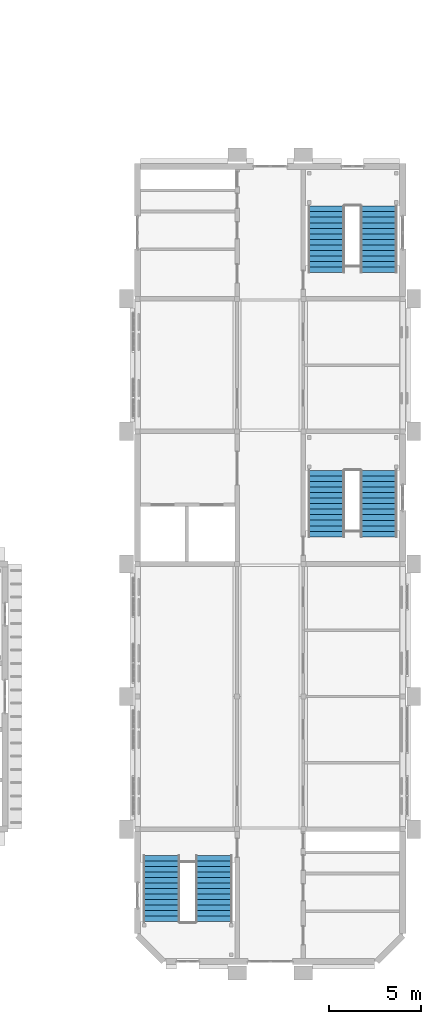
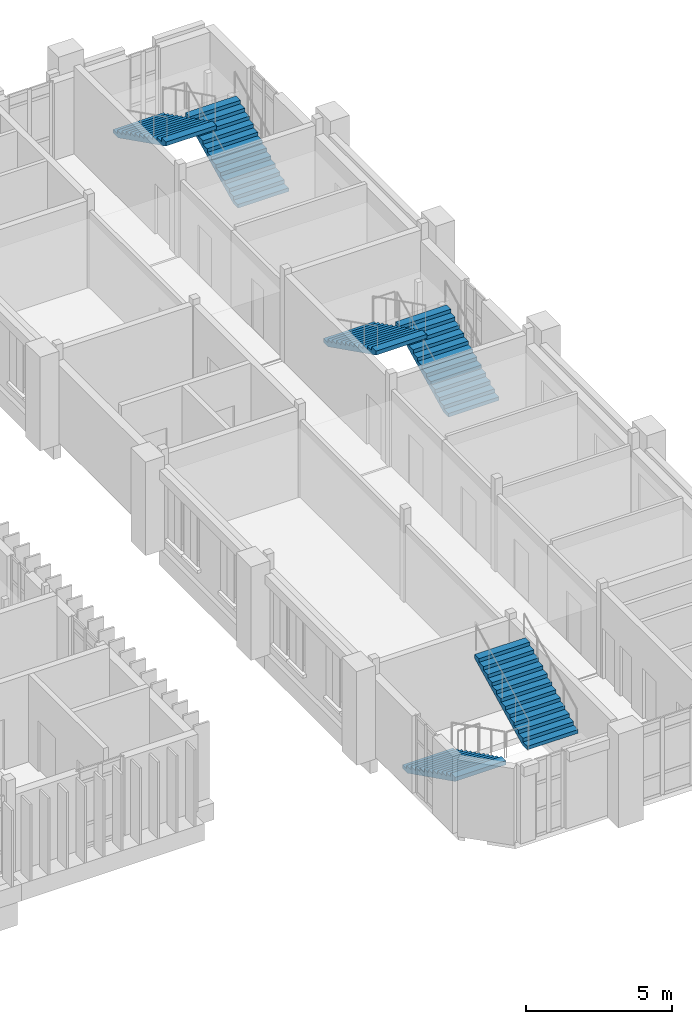
# One storey, part 57 of 69: 6 stair flights, 3 elements without a shape of their own.
"""IFC4 building model written with IfcOpenShell, lengths in metres."""

from ifc_helpers import new_model, si_unit, direction, frame, origin, place, context, subcontext, project, spatial, faceted_brep, material, type_object, element, aggregate, save


model = new_model("IFC4")

# Units and contexts
model_context = context("Model", 3, precision=1e-05, world=origin(), true_north=direction((0.0, 1.0)))
body_context = subcontext(model_context, "Body", "Model", "MODEL_VIEW")
ifc_project = project(units=[si_unit("LENGTHUNIT", "METRE"), si_unit("AREAUNIT", "SQUARE_METRE"), si_unit("VOLUMEUNIT", "CUBIC_METRE"), si_unit("PLANEANGLEUNIT", "RADIAN"), si_unit("MASSUNIT", "GRAM", prefix="KILO")], contexts=[model_context])

# Site, building, storey
site_placement = place(None, origin())
site = spatial("IfcSite", under=ifc_project, at=site_placement, CompositionType="ELEMENT")
building_placement = place(site_placement, origin())
building = spatial("IfcBuilding", under=site, at=building_placement, Name="Mazhai Court Health Centre", CompositionType="ELEMENT")
storey_placement = place(building_placement, frame((0.0, 0.0, 6.300048828125)))
storey = spatial("IfcBuildingStorey", under=building, at=storey_placement, Name="L01", CompositionType="ELEMENT", Elevation=6.300048828125)

# Stair, stair flights
ifc_material_1 = material(Name="Concrete M40", Category="concrete")
stair_type = type_object("IfcStairType", Name="RC STAIR 2000 26R", PredefinedType="DOUBLE_RETURN_STAIR", material=ifc_material_1)
stair_1_placement = place(storey_placement, origin())
stair_1 = element("IfcStair", 1, at=stair_1_placement, inside=storey, type_object=stair_type, Name="L01 Stair 8", PredefinedType="HALF_TURN_STAIR")
ifc_material_2 = material(Name="Concrete M40", Category="concrete")
stair_flight_type = type_object("IfcStairFlightType", Name="RC STAIR FLIGHT 13R 2000", PredefinedType="STRAIGHT", material=ifc_material_2)
stair_flight_1_placement = place(storey_placement, frame((137.094970703125, 11.965087890625, 0.0), z_axis=(0.0, 0.0, 1.0), x_axis=(0.0, -1.0, 0.0)))
stair_flight_1 = element("IfcStairFlight", 2, at=stair_flight_1_placement, type_object=stair_flight_type, Name="ST8 flight 1", NumberOfRisers=13, NumberOfTreads=12, PredefinedType="STRAIGHT", RiserHeight=0.15, TreadLength=0.3, context=body_context, shape_type="Brep", body=[
    faceted_brep([(0.0, 1.0, 0.0), (0.0, 1.0, 0.14990234375), (0.300048828125, 1.0, 0.14990234375), (0.300048828125, 1.0, 0.300048828125), (0.60009765625, 1.0, 0.300048828125), (0.60009765625, 1.0, 0.449951171875), (0.89990234375, 1.0, 0.449951171875), (0.89990234375, 1.0, 0.60009765625), (1.199951171875, 1.0, 0.60009765625), (1.199951171875, 1.0, 0.75), (1.5, 1.0, 0.75), (1.5, 1.0, 0.89990234375), (1.800048828125, 1.0, 0.89990234375), (1.800048828125, 1.0, 1.050048828125), (2.10009765625, 1.0, 1.050048828125), (2.10009765625, 1.0, 1.199951171875), (2.39990234375, 1.0, 1.199951171875), (2.39990234375, 1.0, 1.35009765625), (2.699951171875, 1.0, 1.35009765625), (2.699951171875, 1.0, 1.5), (3.0, 1.0, 1.5), (3.0, 1.0, 1.64990234375), (3.300048828125, 1.0, 1.64990234375), (3.300048828125, 1.0, 1.800048828125), (3.60009765625, 1.0, 1.800048828125), (3.60009765625, 1.0, 1.63232421875), (0.335205078125, 1.0, 0.0), (0.335205078125, -1.0, 0.0), (3.60009765625, -1.0, 1.63232421875), (3.60009765625, -1.0, 1.800048828125), (3.300048828125, -1.0, 1.800048828125), (3.300048828125, -1.0, 1.64990234375), (3.0, -1.0, 1.64990234375), (3.0, -1.0, 1.5), (2.699951171875, -1.0, 1.5), (2.699951171875, -1.0, 1.35009765625), (2.39990234375, -1.0, 1.35009765625), (2.39990234375, -1.0, 1.199951171875), (2.10009765625, -1.0, 1.199951171875), (2.10009765625, -1.0, 1.050048828125), (1.800048828125, -1.0, 1.050048828125), (1.800048828125, -1.0, 0.89990234375), (1.5, -1.0, 0.89990234375), (1.5, -1.0, 0.75), (1.199951171875, -1.0, 0.75), (1.199951171875, -1.0, 0.60009765625), (0.89990234375, -1.0, 0.60009765625), (0.89990234375, -1.0, 0.449951171875), (0.60009765625, -1.0, 0.449951171875), (0.60009765625, -1.0, 0.300048828125), (0.300048828125, -1.0, 0.300048828125), (0.300048828125, -1.0, 0.14990234375), (0.0, -1.0, 0.14990234375), (0.0, -1.0, 0.0), (0.0, 0.0, 0.0), (0.0, 0.0, 0.14990234375), (0.300048828125, 0.0, 0.14990234375), (0.300048828125, 0.0, 0.300048828125), (0.60009765625, 0.0, 0.300048828125), (0.60009765625, 0.0, 0.449951171875), (0.89990234375, 0.0, 0.449951171875), (0.89990234375, 0.0, 0.60009765625), (1.199951171875, 0.0, 0.60009765625), (1.199951171875, 0.0, 0.75), (1.5, 0.0, 0.75), (1.5, 0.0, 0.89990234375), (1.800048828125, 0.0, 0.89990234375), (1.800048828125, 0.0, 1.050048828125), (2.10009765625, 0.0, 1.050048828125), (2.10009765625, 0.0, 1.199951171875), (2.39990234375, 0.0, 1.199951171875), (2.39990234375, 0.0, 1.35009765625), (2.699951171875, 0.0, 1.35009765625), (2.699951171875, 0.0, 1.5), (3.0, 0.0, 1.5), (3.0, 0.0, 1.64990234375), (3.300048828125, 0.0, 1.64990234375), (3.300048828125, 0.0, 1.800048828125), (3.60009765625, 0.0, 1.800048828125), (3.60009765625, 0.0, 1.63232421875), (0.335205078125, 0.0, 0.0)], [[[0, 1, 2, 3, 4, 5, 6, 7, 8, 9, 10, 11, 12, 13, 14, 15, 16, 17, 18, 19, 20, 21, 22, 23, 24, 25, 26]], [[27, 28, 29, 30, 31, 32, 33, 34, 35, 36, 37, 38, 39, 40, 41, 42, 43, 44, 45, 46, 47, 48, 49, 50, 51, 52, 53]], [[54, 55, 1, 0]], [[53, 52, 55, 54]], [[55, 56, 2, 1]], [[52, 51, 56, 55]], [[56, 57, 3, 2]], [[51, 50, 57, 56]], [[57, 58, 4, 3]], [[50, 49, 58, 57]], [[58, 59, 5, 4]], [[49, 48, 59, 58]], [[59, 60, 6, 5]], [[48, 47, 60, 59]], [[60, 61, 7, 6]], [[47, 46, 61, 60]], [[61, 62, 8, 7]], [[46, 45, 62, 61]], [[62, 63, 9, 8]], [[45, 44, 63, 62]], [[63, 64, 10, 9]], [[44, 43, 64, 63]], [[64, 65, 11, 10]], [[43, 42, 65, 64]], [[65, 66, 12, 11]], [[42, 41, 66, 65]], [[66, 67, 13, 12]], [[41, 40, 67, 66]], [[67, 68, 14, 13]], [[40, 39, 68, 67]], [[68, 69, 15, 14]], [[39, 38, 69, 68]], [[69, 70, 16, 15]], [[38, 37, 70, 69]], [[70, 71, 17, 16]], [[37, 36, 71, 70]], [[71, 72, 18, 17]], [[36, 35, 72, 71]], [[72, 73, 19, 18]], [[35, 34, 73, 72]], [[73, 74, 20, 19]], [[34, 33, 74, 73]], [[74, 75, 21, 20]], [[33, 32, 75, 74]], [[75, 76, 22, 21]], [[32, 31, 76, 75]], [[76, 77, 23, 22]], [[31, 30, 77, 76]], [[77, 78, 24, 23]], [[30, 29, 78, 77]], [[78, 79, 25, 24]], [[29, 28, 79, 78]], [[79, 80, 26, 25]], [[28, 27, 80, 79]], [[80, 54, 0, 26]], [[27, 53, 54, 80]]]),
])
stair_flight_2_placement = place(storey_placement, frame((139.945068359375, 8.364990234375, 1.949951171875), z_axis=(0.0, 0.0, 1.0), x_axis=(0.0, 1.0, 0.0)))
stair_flight_2 = element("IfcStairFlight", 3, at=stair_flight_2_placement, type_object=stair_flight_type, Name="ST8 flight 2", NumberOfRisers=13, NumberOfTreads=12, PredefinedType="STRAIGHT", RiserHeight=0.15, TreadLength=0.3, context=body_context, shape_type="Brep", body=[
    faceted_brep([(0.0, 1.0, 0.0), (0.0, 1.0, 0.14990234375), (0.300048828125, 1.0, 0.14990234375), (0.300048828125, 1.0, 0.300048828125), (0.60009765625, 1.0, 0.300048828125), (0.60009765625, 1.0, 0.449951171875), (0.89990234375, 1.0, 0.449951171875), (0.89990234375, 1.0, 0.60009765625), (1.199951171875, 1.0, 0.60009765625), (1.199951171875, 1.0, 0.75), (1.5, 1.0, 0.75), (1.5, 1.0, 0.89990234375), (1.800048828125, 1.0, 0.89990234375), (1.800048828125, 1.0, 1.050048828125), (2.10009765625, 1.0, 1.050048828125), (2.10009765625, 1.0, 1.199951171875), (2.39990234375, 1.0, 1.199951171875), (2.39990234375, 1.0, 1.35009765625), (2.699951171875, 1.0, 1.35009765625), (2.699951171875, 1.0, 1.5), (3.0, 1.0, 1.5), (3.0, 1.0, 1.64990234375), (3.300048828125, 1.0, 1.64990234375), (3.300048828125, 1.0, 1.800048828125), (3.60009765625, 1.0, 1.800048828125), (3.60009765625, 1.0, 1.63232421875), (0.335205078125, 1.0, 0.0), (0.335205078125, -1.0, 0.0), (3.60009765625, -1.0, 1.63232421875), (3.60009765625, -1.0, 1.800048828125), (3.300048828125, -1.0, 1.800048828125), (3.300048828125, -1.0, 1.64990234375), (3.0, -1.0, 1.64990234375), (3.0, -1.0, 1.5), (2.699951171875, -1.0, 1.5), (2.699951171875, -1.0, 1.35009765625), (2.39990234375, -1.0, 1.35009765625), (2.39990234375, -1.0, 1.199951171875), (2.10009765625, -1.0, 1.199951171875), (2.10009765625, -1.0, 1.050048828125), (1.800048828125, -1.0, 1.050048828125), (1.800048828125, -1.0, 0.89990234375), (1.5, -1.0, 0.89990234375), (1.5, -1.0, 0.75), (1.199951171875, -1.0, 0.75), (1.199951171875, -1.0, 0.60009765625), (0.89990234375, -1.0, 0.60009765625), (0.89990234375, -1.0, 0.449951171875), (0.60009765625, -1.0, 0.449951171875), (0.60009765625, -1.0, 0.300048828125), (0.300048828125, -1.0, 0.300048828125), (0.300048828125, -1.0, 0.14990234375), (0.0, -1.0, 0.14990234375), (0.0, -1.0, 0.0), (0.0, 0.0, 0.0), (0.0, 0.0, 0.14990234375), (0.300048828125, 0.0, 0.14990234375), (0.300048828125, 0.0, 0.300048828125), (0.60009765625, 0.0, 0.300048828125), (0.60009765625, 0.0, 0.449951171875), (0.89990234375, 0.0, 0.449951171875), (0.89990234375, 0.0, 0.60009765625), (1.199951171875, 0.0, 0.60009765625), (1.199951171875, 0.0, 0.75), (1.5, 0.0, 0.75), (1.5, 0.0, 0.89990234375), (1.800048828125, 0.0, 0.89990234375), (1.800048828125, 0.0, 1.050048828125), (2.10009765625, 0.0, 1.050048828125), (2.10009765625, 0.0, 1.199951171875), (2.39990234375, 0.0, 1.199951171875), (2.39990234375, 0.0, 1.35009765625), (2.699951171875, 0.0, 1.35009765625), (2.699951171875, 0.0, 1.5), (3.0, 0.0, 1.5), (3.0, 0.0, 1.64990234375), (3.300048828125, 0.0, 1.64990234375), (3.300048828125, 0.0, 1.800048828125), (3.60009765625, 0.0, 1.800048828125), (3.60009765625, 0.0, 1.63232421875), (0.335205078125, 0.0, 0.0)], [[[0, 1, 2, 3, 4, 5, 6, 7, 8, 9, 10, 11, 12, 13, 14, 15, 16, 17, 18, 19, 20, 21, 22, 23, 24, 25, 26]], [[27, 28, 29, 30, 31, 32, 33, 34, 35, 36, 37, 38, 39, 40, 41, 42, 43, 44, 45, 46, 47, 48, 49, 50, 51, 52, 53]], [[54, 55, 1, 0]], [[53, 52, 55, 54]], [[55, 56, 2, 1]], [[52, 51, 56, 55]], [[56, 57, 3, 2]], [[51, 50, 57, 56]], [[57, 58, 4, 3]], [[50, 49, 58, 57]], [[58, 59, 5, 4]], [[49, 48, 59, 58]], [[59, 60, 6, 5]], [[48, 47, 60, 59]], [[60, 61, 7, 6]], [[47, 46, 61, 60]], [[61, 62, 8, 7]], [[46, 45, 62, 61]], [[62, 63, 9, 8]], [[45, 44, 63, 62]], [[63, 64, 10, 9]], [[44, 43, 64, 63]], [[64, 65, 11, 10]], [[43, 42, 65, 64]], [[65, 66, 12, 11]], [[42, 41, 66, 65]], [[66, 67, 13, 12]], [[41, 40, 67, 66]], [[67, 68, 14, 13]], [[40, 39, 68, 67]], [[68, 69, 15, 14]], [[39, 38, 69, 68]], [[69, 70, 16, 15]], [[38, 37, 70, 69]], [[70, 71, 17, 16]], [[37, 36, 71, 70]], [[71, 72, 18, 17]], [[36, 35, 72, 71]], [[72, 73, 19, 18]], [[35, 34, 73, 72]], [[73, 74, 20, 19]], [[34, 33, 74, 73]], [[74, 75, 21, 20]], [[33, 32, 75, 74]], [[75, 76, 22, 21]], [[32, 31, 76, 75]], [[76, 77, 23, 22]], [[31, 30, 77, 76]], [[77, 78, 24, 23]], [[30, 29, 78, 77]], [[78, 79, 25, 24]], [[29, 28, 79, 78]], [[79, 80, 26, 25]], [[28, 27, 80, 79]], [[80, 54, 0, 26]], [[27, 53, 54, 80]]]),
])
aggregate(stair_1, [stair_flight_1, stair_flight_2])

stair_2_placement = place(storey_placement, origin())
stair_2 = element("IfcStair", 4, at=stair_2_placement, inside=storey, type_object=stair_type, Name="L01 Stair 9", PredefinedType="HALF_TURN_STAIR")
stair_flight_3_placement = place(storey_placement, frame((148.905029296875, 29.27490234375, 0.0), z_axis=(0.0, 0.0, 1.0), x_axis=(0.0, 1.0, 0.0)))
stair_flight_3 = element("IfcStairFlight", 5, at=stair_flight_3_placement, type_object=stair_flight_type, Name="ST9 flight 1", NumberOfRisers=13, NumberOfTreads=12, PredefinedType="STRAIGHT", RiserHeight=0.15, TreadLength=0.3, context=body_context, shape_type="Brep", body=[
    faceted_brep([(0.0, 1.0, 0.0), (0.0, 1.0, 0.14990234375), (0.300048828125, 1.0, 0.14990234375), (0.300048828125, 1.0, 0.300048828125), (0.60009765625, 1.0, 0.300048828125), (0.60009765625, 1.0, 0.449951171875), (0.89990234375, 1.0, 0.449951171875), (0.89990234375, 1.0, 0.60009765625), (1.199951171875, 1.0, 0.60009765625), (1.199951171875, 1.0, 0.75), (1.5, 1.0, 0.75), (1.5, 1.0, 0.89990234375), (1.800048828125, 1.0, 0.89990234375), (1.800048828125, 1.0, 1.050048828125), (2.10009765625, 1.0, 1.050048828125), (2.10009765625, 1.0, 1.199951171875), (2.39990234375, 1.0, 1.199951171875), (2.39990234375, 1.0, 1.35009765625), (2.699951171875, 1.0, 1.35009765625), (2.699951171875, 1.0, 1.5), (3.0, 1.0, 1.5), (3.0, 1.0, 1.64990234375), (3.300048828125, 1.0, 1.64990234375), (3.300048828125, 1.0, 1.800048828125), (3.60009765625, 1.0, 1.800048828125), (3.60009765625, 1.0, 1.63232421875), (0.335205078125, 1.0, 0.0), (0.335205078125, -1.0, 0.0), (3.60009765625, -1.0, 1.63232421875), (3.60009765625, -1.0, 1.800048828125), (3.300048828125, -1.0, 1.800048828125), (3.300048828125, -1.0, 1.64990234375), (3.0, -1.0, 1.64990234375), (3.0, -1.0, 1.5), (2.699951171875, -1.0, 1.5), (2.699951171875, -1.0, 1.35009765625), (2.39990234375, -1.0, 1.35009765625), (2.39990234375, -1.0, 1.199951171875), (2.10009765625, -1.0, 1.199951171875), (2.10009765625, -1.0, 1.050048828125), (1.800048828125, -1.0, 1.050048828125), (1.800048828125, -1.0, 0.89990234375), (1.5, -1.0, 0.89990234375), (1.5, -1.0, 0.75), (1.199951171875, -1.0, 0.75), (1.199951171875, -1.0, 0.60009765625), (0.89990234375, -1.0, 0.60009765625), (0.89990234375, -1.0, 0.449951171875), (0.60009765625, -1.0, 0.449951171875), (0.60009765625, -1.0, 0.300048828125), (0.300048828125, -1.0, 0.300048828125), (0.300048828125, -1.0, 0.14990234375), (0.0, -1.0, 0.14990234375), (0.0, -1.0, 0.0), (0.0, 0.0, 0.0), (0.0, 0.0, 0.14990234375), (0.300048828125, 0.0, 0.14990234375), (0.300048828125, 0.0, 0.300048828125), (0.60009765625, 0.0, 0.300048828125), (0.60009765625, 0.0, 0.449951171875), (0.89990234375, 0.0, 0.449951171875), (0.89990234375, 0.0, 0.60009765625), (1.199951171875, 0.0, 0.60009765625), (1.199951171875, 0.0, 0.75), (1.5, 0.0, 0.75), (1.5, 0.0, 0.89990234375), (1.800048828125, 0.0, 0.89990234375), (1.800048828125, 0.0, 1.050048828125), (2.10009765625, 0.0, 1.050048828125), (2.10009765625, 0.0, 1.199951171875), (2.39990234375, 0.0, 1.199951171875), (2.39990234375, 0.0, 1.35009765625), (2.699951171875, 0.0, 1.35009765625), (2.699951171875, 0.0, 1.5), (3.0, 0.0, 1.5), (3.0, 0.0, 1.64990234375), (3.300048828125, 0.0, 1.64990234375), (3.300048828125, 0.0, 1.800048828125), (3.60009765625, 0.0, 1.800048828125), (3.60009765625, 0.0, 1.63232421875), (0.335205078125, 0.0, 0.0)], [[[0, 1, 2, 3, 4, 5, 6, 7, 8, 9, 10, 11, 12, 13, 14, 15, 16, 17, 18, 19, 20, 21, 22, 23, 24, 25, 26]], [[27, 28, 29, 30, 31, 32, 33, 34, 35, 36, 37, 38, 39, 40, 41, 42, 43, 44, 45, 46, 47, 48, 49, 50, 51, 52, 53]], [[54, 55, 1, 0]], [[53, 52, 55, 54]], [[55, 56, 2, 1]], [[52, 51, 56, 55]], [[56, 57, 3, 2]], [[51, 50, 57, 56]], [[57, 58, 4, 3]], [[50, 49, 58, 57]], [[58, 59, 5, 4]], [[49, 48, 59, 58]], [[59, 60, 6, 5]], [[48, 47, 60, 59]], [[60, 61, 7, 6]], [[47, 46, 61, 60]], [[61, 62, 8, 7]], [[46, 45, 62, 61]], [[62, 63, 9, 8]], [[45, 44, 63, 62]], [[63, 64, 10, 9]], [[44, 43, 64, 63]], [[64, 65, 11, 10]], [[43, 42, 65, 64]], [[65, 66, 12, 11]], [[42, 41, 66, 65]], [[66, 67, 13, 12]], [[41, 40, 67, 66]], [[67, 68, 14, 13]], [[40, 39, 68, 67]], [[68, 69, 15, 14]], [[39, 38, 69, 68]], [[69, 70, 16, 15]], [[38, 37, 70, 69]], [[70, 71, 17, 16]], [[37, 36, 71, 70]], [[71, 72, 18, 17]], [[36, 35, 72, 71]], [[72, 73, 19, 18]], [[35, 34, 73, 72]], [[73, 74, 20, 19]], [[34, 33, 74, 73]], [[74, 75, 21, 20]], [[33, 32, 75, 74]], [[75, 76, 22, 21]], [[32, 31, 76, 75]], [[76, 77, 23, 22]], [[31, 30, 77, 76]], [[77, 78, 24, 23]], [[30, 29, 78, 77]], [[78, 79, 25, 24]], [[29, 28, 79, 78]], [[79, 80, 26, 25]], [[28, 27, 80, 79]], [[80, 54, 0, 26]], [[27, 53, 54, 80]]]),
])
stair_flight_4_placement = place(storey_placement, frame((146.054931640625, 32.875, 1.949951171875), z_axis=(0.0, 0.0, 1.0), x_axis=(0.0, -1.0, 0.0)))
stair_flight_4 = element("IfcStairFlight", 6, at=stair_flight_4_placement, type_object=stair_flight_type, Name="ST9 flight 2", NumberOfRisers=13, NumberOfTreads=12, PredefinedType="STRAIGHT", RiserHeight=0.15, TreadLength=0.3, context=body_context, shape_type="Brep", body=[
    faceted_brep([(0.0, 1.0, 0.0), (0.0, 1.0, 0.14990234375), (0.300048828125, 1.0, 0.14990234375), (0.300048828125, 1.0, 0.300048828125), (0.60009765625, 1.0, 0.300048828125), (0.60009765625, 1.0, 0.449951171875), (0.89990234375, 1.0, 0.449951171875), (0.89990234375, 1.0, 0.60009765625), (1.199951171875, 1.0, 0.60009765625), (1.199951171875, 1.0, 0.75), (1.5, 1.0, 0.75), (1.5, 1.0, 0.89990234375), (1.800048828125, 1.0, 0.89990234375), (1.800048828125, 1.0, 1.050048828125), (2.10009765625, 1.0, 1.050048828125), (2.10009765625, 1.0, 1.199951171875), (2.39990234375, 1.0, 1.199951171875), (2.39990234375, 1.0, 1.35009765625), (2.699951171875, 1.0, 1.35009765625), (2.699951171875, 1.0, 1.5), (3.0, 1.0, 1.5), (3.0, 1.0, 1.64990234375), (3.300048828125, 1.0, 1.64990234375), (3.300048828125, 1.0, 1.800048828125), (3.60009765625, 1.0, 1.800048828125), (3.60009765625, 1.0, 1.63232421875), (0.335205078125, 1.0, 0.0), (0.335205078125, -1.0, 0.0), (3.60009765625, -1.0, 1.63232421875), (3.60009765625, -1.0, 1.800048828125), (3.300048828125, -1.0, 1.800048828125), (3.300048828125, -1.0, 1.64990234375), (3.0, -1.0, 1.64990234375), (3.0, -1.0, 1.5), (2.699951171875, -1.0, 1.5), (2.699951171875, -1.0, 1.35009765625), (2.39990234375, -1.0, 1.35009765625), (2.39990234375, -1.0, 1.199951171875), (2.10009765625, -1.0, 1.199951171875), (2.10009765625, -1.0, 1.050048828125), (1.800048828125, -1.0, 1.050048828125), (1.800048828125, -1.0, 0.89990234375), (1.5, -1.0, 0.89990234375), (1.5, -1.0, 0.75), (1.199951171875, -1.0, 0.75), (1.199951171875, -1.0, 0.60009765625), (0.89990234375, -1.0, 0.60009765625), (0.89990234375, -1.0, 0.449951171875), (0.60009765625, -1.0, 0.449951171875), (0.60009765625, -1.0, 0.300048828125), (0.300048828125, -1.0, 0.300048828125), (0.300048828125, -1.0, 0.14990234375), (0.0, -1.0, 0.14990234375), (0.0, -1.0, 0.0), (0.0, 0.0, 0.0), (0.0, 0.0, 0.14990234375), (0.300048828125, 0.0, 0.14990234375), (0.300048828125, 0.0, 0.300048828125), (0.60009765625, 0.0, 0.300048828125), (0.60009765625, 0.0, 0.449951171875), (0.89990234375, 0.0, 0.449951171875), (0.89990234375, 0.0, 0.60009765625), (1.199951171875, 0.0, 0.60009765625), (1.199951171875, 0.0, 0.75), (1.5, 0.0, 0.75), (1.5, 0.0, 0.89990234375), (1.800048828125, 0.0, 0.89990234375), (1.800048828125, 0.0, 1.050048828125), (2.10009765625, 0.0, 1.050048828125), (2.10009765625, 0.0, 1.199951171875), (2.39990234375, 0.0, 1.199951171875), (2.39990234375, 0.0, 1.35009765625), (2.699951171875, 0.0, 1.35009765625), (2.699951171875, 0.0, 1.5), (3.0, 0.0, 1.5), (3.0, 0.0, 1.64990234375), (3.300048828125, 0.0, 1.64990234375), (3.300048828125, 0.0, 1.800048828125), (3.60009765625, 0.0, 1.800048828125), (3.60009765625, 0.0, 1.63232421875), (0.335205078125, 0.0, 0.0)], [[[0, 1, 2, 3, 4, 5, 6, 7, 8, 9, 10, 11, 12, 13, 14, 15, 16, 17, 18, 19, 20, 21, 22, 23, 24, 25, 26]], [[27, 28, 29, 30, 31, 32, 33, 34, 35, 36, 37, 38, 39, 40, 41, 42, 43, 44, 45, 46, 47, 48, 49, 50, 51, 52, 53]], [[54, 55, 1, 0]], [[53, 52, 55, 54]], [[55, 56, 2, 1]], [[52, 51, 56, 55]], [[56, 57, 3, 2]], [[51, 50, 57, 56]], [[57, 58, 4, 3]], [[50, 49, 58, 57]], [[58, 59, 5, 4]], [[49, 48, 59, 58]], [[59, 60, 6, 5]], [[48, 47, 60, 59]], [[60, 61, 7, 6]], [[47, 46, 61, 60]], [[61, 62, 8, 7]], [[46, 45, 62, 61]], [[62, 63, 9, 8]], [[45, 44, 63, 62]], [[63, 64, 10, 9]], [[44, 43, 64, 63]], [[64, 65, 11, 10]], [[43, 42, 65, 64]], [[65, 66, 12, 11]], [[42, 41, 66, 65]], [[66, 67, 13, 12]], [[41, 40, 67, 66]], [[67, 68, 14, 13]], [[40, 39, 68, 67]], [[68, 69, 15, 14]], [[39, 38, 69, 68]], [[69, 70, 16, 15]], [[38, 37, 70, 69]], [[70, 71, 17, 16]], [[37, 36, 71, 70]], [[71, 72, 18, 17]], [[36, 35, 72, 71]], [[72, 73, 19, 18]], [[35, 34, 73, 72]], [[73, 74, 20, 19]], [[34, 33, 74, 73]], [[74, 75, 21, 20]], [[33, 32, 75, 74]], [[75, 76, 22, 21]], [[32, 31, 76, 75]], [[76, 77, 23, 22]], [[31, 30, 77, 76]], [[77, 78, 24, 23]], [[30, 29, 78, 77]], [[78, 79, 25, 24]], [[29, 28, 79, 78]], [[79, 80, 26, 25]], [[28, 27, 80, 79]], [[80, 54, 0, 26]], [[27, 53, 54, 80]]]),
])
aggregate(stair_2, [stair_flight_3, stair_flight_4])

stair_3_placement = place(storey_placement, origin())
stair_3 = element("IfcStair", 7, at=stair_3_placement, inside=storey, type_object=stair_type, Name="L01 Stair 10", PredefinedType="HALF_TURN_STAIR")
stair_flight_5_placement = place(storey_placement, frame((148.905029296875, 43.635009765625, 0.0), z_axis=(0.0, 0.0, 1.0), x_axis=(0.0, 1.0, 0.0)))
stair_flight_5 = element("IfcStairFlight", 8, at=stair_flight_5_placement, type_object=stair_flight_type, Name="ST10 flight 1", NumberOfRisers=13, NumberOfTreads=12, PredefinedType="STRAIGHT", RiserHeight=0.15, TreadLength=0.3, context=body_context, shape_type="Brep", body=[
    faceted_brep([(0.0, 1.0, 0.0), (0.0, 1.0, 0.14990234375), (0.300048828125, 1.0, 0.14990234375), (0.300048828125, 1.0, 0.300048828125), (0.60009765625, 1.0, 0.300048828125), (0.60009765625, 1.0, 0.449951171875), (0.89990234375, 1.0, 0.449951171875), (0.89990234375, 1.0, 0.60009765625), (1.199951171875, 1.0, 0.60009765625), (1.199951171875, 1.0, 0.75), (1.5, 1.0, 0.75), (1.5, 1.0, 0.89990234375), (1.800048828125, 1.0, 0.89990234375), (1.800048828125, 1.0, 1.050048828125), (2.10009765625, 1.0, 1.050048828125), (2.10009765625, 1.0, 1.199951171875), (2.39990234375, 1.0, 1.199951171875), (2.39990234375, 1.0, 1.35009765625), (2.699951171875, 1.0, 1.35009765625), (2.699951171875, 1.0, 1.5), (3.0, 1.0, 1.5), (3.0, 1.0, 1.64990234375), (3.300048828125, 1.0, 1.64990234375), (3.300048828125, 1.0, 1.800048828125), (3.60009765625, 1.0, 1.800048828125), (3.60009765625, 1.0, 1.63232421875), (0.335205078125, 1.0, 0.0), (0.335205078125, -1.0, 0.0), (3.60009765625, -1.0, 1.63232421875), (3.60009765625, -1.0, 1.800048828125), (3.300048828125, -1.0, 1.800048828125), (3.300048828125, -1.0, 1.64990234375), (3.0, -1.0, 1.64990234375), (3.0, -1.0, 1.5), (2.699951171875, -1.0, 1.5), (2.699951171875, -1.0, 1.35009765625), (2.39990234375, -1.0, 1.35009765625), (2.39990234375, -1.0, 1.199951171875), (2.10009765625, -1.0, 1.199951171875), (2.10009765625, -1.0, 1.050048828125), (1.800048828125, -1.0, 1.050048828125), (1.800048828125, -1.0, 0.89990234375), (1.5, -1.0, 0.89990234375), (1.5, -1.0, 0.75), (1.199951171875, -1.0, 0.75), (1.199951171875, -1.0, 0.60009765625), (0.89990234375, -1.0, 0.60009765625), (0.89990234375, -1.0, 0.449951171875), (0.60009765625, -1.0, 0.449951171875), (0.60009765625, -1.0, 0.300048828125), (0.300048828125, -1.0, 0.300048828125), (0.300048828125, -1.0, 0.14990234375), (0.0, -1.0, 0.14990234375), (0.0, -1.0, 0.0), (0.0, 0.0, 0.0), (0.0, 0.0, 0.14990234375), (0.300048828125, 0.0, 0.14990234375), (0.300048828125, 0.0, 0.300048828125), (0.60009765625, 0.0, 0.300048828125), (0.60009765625, 0.0, 0.449951171875), (0.89990234375, 0.0, 0.449951171875), (0.89990234375, 0.0, 0.60009765625), (1.199951171875, 0.0, 0.60009765625), (1.199951171875, 0.0, 0.75), (1.5, 0.0, 0.75), (1.5, 0.0, 0.89990234375), (1.800048828125, 0.0, 0.89990234375), (1.800048828125, 0.0, 1.050048828125), (2.10009765625, 0.0, 1.050048828125), (2.10009765625, 0.0, 1.199951171875), (2.39990234375, 0.0, 1.199951171875), (2.39990234375, 0.0, 1.35009765625), (2.699951171875, 0.0, 1.35009765625), (2.699951171875, 0.0, 1.5), (3.0, 0.0, 1.5), (3.0, 0.0, 1.64990234375), (3.300048828125, 0.0, 1.64990234375), (3.300048828125, 0.0, 1.800048828125), (3.60009765625, 0.0, 1.800048828125), (3.60009765625, 0.0, 1.63232421875), (0.335205078125, 0.0, 0.0)], [[[0, 1, 2, 3, 4, 5, 6, 7, 8, 9, 10, 11, 12, 13, 14, 15, 16, 17, 18, 19, 20, 21, 22, 23, 24, 25, 26]], [[27, 28, 29, 30, 31, 32, 33, 34, 35, 36, 37, 38, 39, 40, 41, 42, 43, 44, 45, 46, 47, 48, 49, 50, 51, 52, 53]], [[54, 55, 1, 0]], [[53, 52, 55, 54]], [[55, 56, 2, 1]], [[52, 51, 56, 55]], [[56, 57, 3, 2]], [[51, 50, 57, 56]], [[57, 58, 4, 3]], [[50, 49, 58, 57]], [[58, 59, 5, 4]], [[49, 48, 59, 58]], [[59, 60, 6, 5]], [[48, 47, 60, 59]], [[60, 61, 7, 6]], [[47, 46, 61, 60]], [[61, 62, 8, 7]], [[46, 45, 62, 61]], [[62, 63, 9, 8]], [[45, 44, 63, 62]], [[63, 64, 10, 9]], [[44, 43, 64, 63]], [[64, 65, 11, 10]], [[43, 42, 65, 64]], [[65, 66, 12, 11]], [[42, 41, 66, 65]], [[66, 67, 13, 12]], [[41, 40, 67, 66]], [[67, 68, 14, 13]], [[40, 39, 68, 67]], [[68, 69, 15, 14]], [[39, 38, 69, 68]], [[69, 70, 16, 15]], [[38, 37, 70, 69]], [[70, 71, 17, 16]], [[37, 36, 71, 70]], [[71, 72, 18, 17]], [[36, 35, 72, 71]], [[72, 73, 19, 18]], [[35, 34, 73, 72]], [[73, 74, 20, 19]], [[34, 33, 74, 73]], [[74, 75, 21, 20]], [[33, 32, 75, 74]], [[75, 76, 22, 21]], [[32, 31, 76, 75]], [[76, 77, 23, 22]], [[31, 30, 77, 76]], [[77, 78, 24, 23]], [[30, 29, 78, 77]], [[78, 79, 25, 24]], [[29, 28, 79, 78]], [[79, 80, 26, 25]], [[28, 27, 80, 79]], [[80, 54, 0, 26]], [[27, 53, 54, 80]]]),
])
stair_flight_6_placement = place(storey_placement, frame((146.054931640625, 47.235107421875, 1.949951171875), z_axis=(0.0, 0.0, 1.0), x_axis=(0.0, -1.0, 0.0)))
stair_flight_6 = element("IfcStairFlight", 9, at=stair_flight_6_placement, type_object=stair_flight_type, Name="ST10 flight 2", NumberOfRisers=13, NumberOfTreads=12, PredefinedType="STRAIGHT", RiserHeight=0.15, TreadLength=0.3, context=body_context, shape_type="Brep", body=[
    faceted_brep([(0.0, 1.0, 0.0), (0.0, 1.0, 0.14990234375), (0.300048828125, 1.0, 0.14990234375), (0.300048828125, 1.0, 0.300048828125), (0.60009765625, 1.0, 0.300048828125), (0.60009765625, 1.0, 0.449951171875), (0.89990234375, 1.0, 0.449951171875), (0.89990234375, 1.0, 0.60009765625), (1.199951171875, 1.0, 0.60009765625), (1.199951171875, 1.0, 0.75), (1.5, 1.0, 0.75), (1.5, 1.0, 0.89990234375), (1.800048828125, 1.0, 0.89990234375), (1.800048828125, 1.0, 1.050048828125), (2.10009765625, 1.0, 1.050048828125), (2.10009765625, 1.0, 1.199951171875), (2.39990234375, 1.0, 1.199951171875), (2.39990234375, 1.0, 1.35009765625), (2.699951171875, 1.0, 1.35009765625), (2.699951171875, 1.0, 1.5), (3.0, 1.0, 1.5), (3.0, 1.0, 1.64990234375), (3.300048828125, 1.0, 1.64990234375), (3.300048828125, 1.0, 1.800048828125), (3.60009765625, 1.0, 1.800048828125), (3.60009765625, 1.0, 1.63232421875), (0.335205078125, 1.0, 0.0), (0.335205078125, -1.0, 0.0), (3.60009765625, -1.0, 1.63232421875), (3.60009765625, -1.0, 1.800048828125), (3.300048828125, -1.0, 1.800048828125), (3.300048828125, -1.0, 1.64990234375), (3.0, -1.0, 1.64990234375), (3.0, -1.0, 1.5), (2.699951171875, -1.0, 1.5), (2.699951171875, -1.0, 1.35009765625), (2.39990234375, -1.0, 1.35009765625), (2.39990234375, -1.0, 1.199951171875), (2.10009765625, -1.0, 1.199951171875), (2.10009765625, -1.0, 1.050048828125), (1.800048828125, -1.0, 1.050048828125), (1.800048828125, -1.0, 0.89990234375), (1.5, -1.0, 0.89990234375), (1.5, -1.0, 0.75), (1.199951171875, -1.0, 0.75), (1.199951171875, -1.0, 0.60009765625), (0.89990234375, -1.0, 0.60009765625), (0.89990234375, -1.0, 0.449951171875), (0.60009765625, -1.0, 0.449951171875), (0.60009765625, -1.0, 0.300048828125), (0.300048828125, -1.0, 0.300048828125), (0.300048828125, -1.0, 0.14990234375), (0.0, -1.0, 0.14990234375), (0.0, -1.0, 0.0), (0.0, 0.0, 0.0), (0.0, 0.0, 0.14990234375), (0.300048828125, 0.0, 0.14990234375), (0.300048828125, 0.0, 0.300048828125), (0.60009765625, 0.0, 0.300048828125), (0.60009765625, 0.0, 0.449951171875), (0.89990234375, 0.0, 0.449951171875), (0.89990234375, 0.0, 0.60009765625), (1.199951171875, 0.0, 0.60009765625), (1.199951171875, 0.0, 0.75), (1.5, 0.0, 0.75), (1.5, 0.0, 0.89990234375), (1.800048828125, 0.0, 0.89990234375), (1.800048828125, 0.0, 1.050048828125), (2.10009765625, 0.0, 1.050048828125), (2.10009765625, 0.0, 1.199951171875), (2.39990234375, 0.0, 1.199951171875), (2.39990234375, 0.0, 1.35009765625), (2.699951171875, 0.0, 1.35009765625), (2.699951171875, 0.0, 1.5), (3.0, 0.0, 1.5), (3.0, 0.0, 1.64990234375), (3.300048828125, 0.0, 1.64990234375), (3.300048828125, 0.0, 1.800048828125), (3.60009765625, 0.0, 1.800048828125), (3.60009765625, 0.0, 1.63232421875), (0.335205078125, 0.0, 0.0)], [[[0, 1, 2, 3, 4, 5, 6, 7, 8, 9, 10, 11, 12, 13, 14, 15, 16, 17, 18, 19, 20, 21, 22, 23, 24, 25, 26]], [[27, 28, 29, 30, 31, 32, 33, 34, 35, 36, 37, 38, 39, 40, 41, 42, 43, 44, 45, 46, 47, 48, 49, 50, 51, 52, 53]], [[54, 55, 1, 0]], [[53, 52, 55, 54]], [[55, 56, 2, 1]], [[52, 51, 56, 55]], [[56, 57, 3, 2]], [[51, 50, 57, 56]], [[57, 58, 4, 3]], [[50, 49, 58, 57]], [[58, 59, 5, 4]], [[49, 48, 59, 58]], [[59, 60, 6, 5]], [[48, 47, 60, 59]], [[60, 61, 7, 6]], [[47, 46, 61, 60]], [[61, 62, 8, 7]], [[46, 45, 62, 61]], [[62, 63, 9, 8]], [[45, 44, 63, 62]], [[63, 64, 10, 9]], [[44, 43, 64, 63]], [[64, 65, 11, 10]], [[43, 42, 65, 64]], [[65, 66, 12, 11]], [[42, 41, 66, 65]], [[66, 67, 13, 12]], [[41, 40, 67, 66]], [[67, 68, 14, 13]], [[40, 39, 68, 67]], [[68, 69, 15, 14]], [[39, 38, 69, 68]], [[69, 70, 16, 15]], [[38, 37, 70, 69]], [[70, 71, 17, 16]], [[37, 36, 71, 70]], [[71, 72, 18, 17]], [[36, 35, 72, 71]], [[72, 73, 19, 18]], [[35, 34, 73, 72]], [[73, 74, 20, 19]], [[34, 33, 74, 73]], [[74, 75, 21, 20]], [[33, 32, 75, 74]], [[75, 76, 22, 21]], [[32, 31, 76, 75]], [[76, 77, 23, 22]], [[31, 30, 77, 76]], [[77, 78, 24, 23]], [[30, 29, 78, 77]], [[78, 79, 25, 24]], [[29, 28, 79, 78]], [[79, 80, 26, 25]], [[28, 27, 80, 79]], [[80, 54, 0, 26]], [[27, 53, 54, 80]]]),
])
aggregate(stair_3, [stair_flight_5, stair_flight_6])

save(model, "model.ifc")
